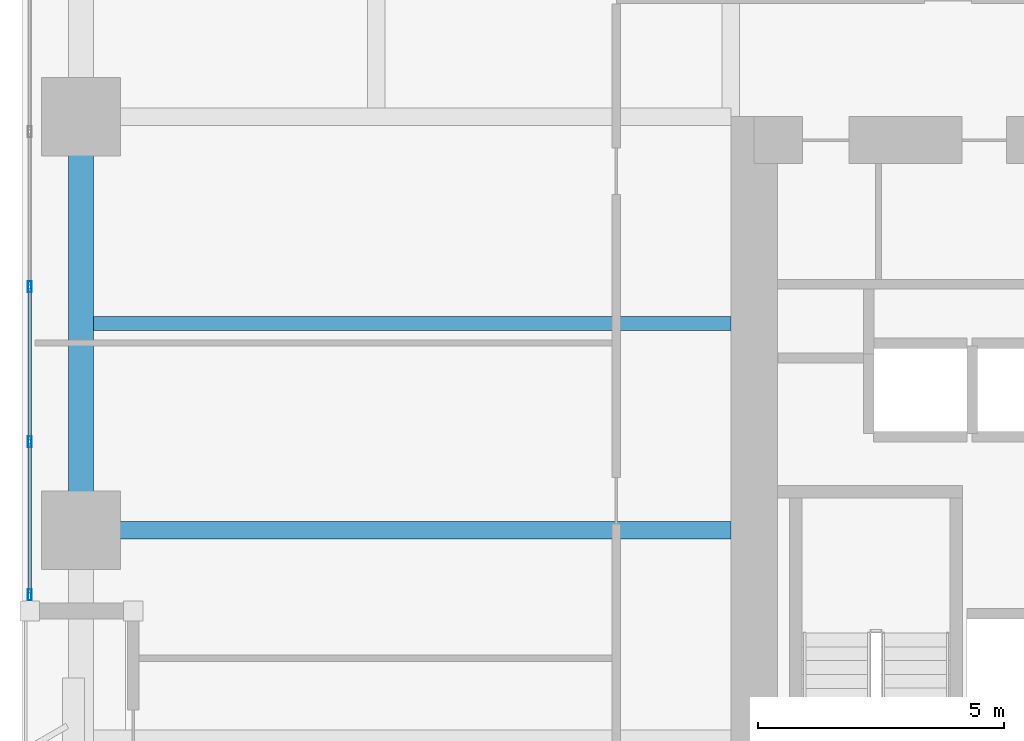
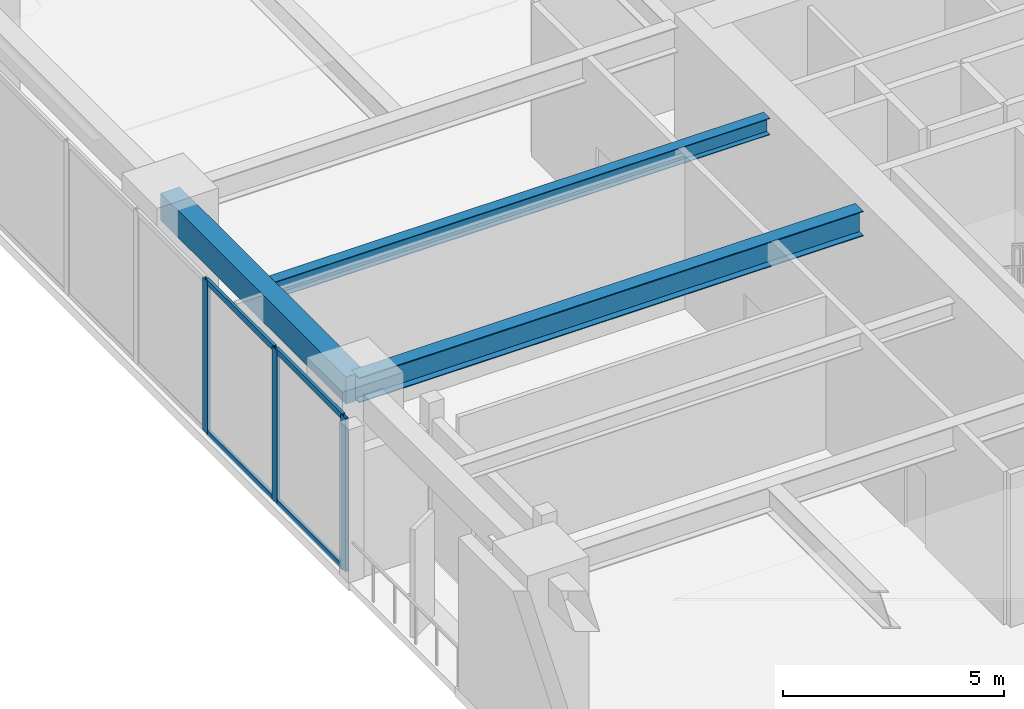
# One storey, part 2 of 25: 7 members, 3 beams, 1 element without a shape of its own.
"""IFC4 building model written with IfcOpenShell, lengths in metres."""

import ifcopenshell
import ifcopenshell.guid

model = None  # the IFC model being written
_history = None  # IfcOwnerHistory: only IFC2X3 demands one
_inside = {}  # id of a spatial element -> (the spatial element, [elements in it])
_under = {}  # id of a project, library or spatial element -> (it, [spatial elements below it])
_declared = {}  # id of a project -> (the project, [libraries it declares])
_typed = {}  # id of a type object -> (the type object, [elements of that type])
_made_of = {}  # id of a material, layer set ... -> (it, [elements and type objects made of it])


def new_model(schema):
    """Start an empty IFC model of exactly this schema.

    Asked for "IFC4X3", IfcOpenShell would pick the latest addendum, in which some entities
    have other attributes; the version numbers below select the first issue.
    IFC2X3 requires an IfcOwnerHistory on every rooted entity: one is made here for all.
    """
    global model, _history
    if schema == "IFC4X3":
        model = ifcopenshell.file(schema_version=(4, 3, 0, 0))
    else:
        model = ifcopenshell.file(schema=schema)
    _inside.clear()
    _under.clear()
    _declared.clear()
    _typed.clear()
    _made_of.clear()
    _history = None
    if model.schema == "IFC2X3":
        org = make("IfcOrganization", Name="unknown")
        user = make(
            "IfcPersonAndOrganization",
            ThePerson=make("IfcPerson", FamilyName="unknown"),
            TheOrganization=org,
        )
        app = make(
            "IfcApplication",
            ApplicationDeveloper=org,
            Version="unknown",
            ApplicationFullName="unknown",
            ApplicationIdentifier="unknown",
        )
        _history = make(
            "IfcOwnerHistory",
            OwningUser=user,
            OwningApplication=app,
            ChangeAction="ADDED",
            CreationDate=0,
        )
    return model


def make(cls, **values):
    """One entity of the class cls with the attributes given. An attribute that is None is left unset."""
    return model.create_entity(
        cls, **{name: value for name, value in values.items() if value is not None}
    )


def rooted(cls, **values):
    """An entity with a GlobalId (a new one), such as an element, a storey or a relation."""
    return make(cls, GlobalId=ifcopenshell.guid.new(), OwnerHistory=_history, **values)


def si_unit(unit_type, name, prefix=None):
    """IfcSIUnit, for example si_unit("LENGTHUNIT", "METRE", prefix="MILLI")."""
    return make("IfcSIUnit", UnitType=unit_type, Prefix=prefix, Name=name)


def assignment(units):
    """IfcUnitAssignment: the units of a project."""
    return None if units is None else make("IfcUnitAssignment", Units=units)


def point(xyz):
    """IfcCartesianPoint."""
    return None if xyz is None else make("IfcCartesianPoint", Coordinates=xyz)


def direction(xyz):
    """IfcDirection."""
    return None if xyz is None else make("IfcDirection", DirectionRatios=xyz)


def frame(location, z_axis=None, x_axis=None):
    """IfcAxis2Placement3D, a coordinate frame: its origin and axes. An axis left out is left unset."""
    return make(
        "IfcAxis2Placement3D",
        Location=point(location),
        Axis=direction(z_axis),
        RefDirection=direction(x_axis),
    )


def frame_2d(location, x_axis=None):
    """IfcAxis2Placement2D, a coordinate frame in the plane: its origin and x axis."""
    return make(
        "IfcAxis2Placement2D", Location=point(location), RefDirection=direction(x_axis)
    )


def origin():
    """The frame at (0, 0, 0) with its axes left unset."""
    return frame((0.0, 0.0, 0.0))


def origin_2d():
    """The frame at (0, 0) in the plane with its x axis left unset."""
    return frame_2d((0.0, 0.0))


def place(relative_to, where):
    """IfcLocalPlacement: puts the frame where relative to a parent placement (None: the world)."""
    return make(
        "IfcLocalPlacement", PlacementRelTo=relative_to, RelativePlacement=where
    )


def context(
    kind, dimensions, precision=None, world=None, true_north=None, identifier=None
):
    """IfcGeometricRepresentationContext, for example the 3D "Model" context."""
    return make(
        "IfcGeometricRepresentationContext",
        ContextIdentifier=identifier,
        ContextType=kind,
        CoordinateSpaceDimension=dimensions,
        Precision=precision,
        WorldCoordinateSystem=world,
        TrueNorth=true_north,
    )


def subcontext(parent, identifier, kind, view, scale=None):
    """IfcGeometricRepresentationSubContext, for example "Body" below "Model"."""
    return make(
        "IfcGeometricRepresentationSubContext",
        ContextIdentifier=identifier,
        ContextType=kind,
        ParentContext=parent,
        TargetScale=scale,
        TargetView=view,
    )


def project(units=None, contexts=None):
    """IfcProject with its units and contexts."""
    return rooted(
        "IfcProject",
        Name="project",
        RepresentationContexts=contexts,
        UnitsInContext=assignment(units),
    )


def spatial(cls, under=None, at=None, **own):
    """A site, building, storey or space (cls), placed at a placement, below another one or the project."""
    s = rooted(cls, ObjectPlacement=at, **own)
    if under is not None:
        _under.setdefault(under.id(), (under, []))[1].append(s)
    return s


def profile(cls, at=None, kind="AREA", **sizes):
    """A parametric profile (cls). Its sizes go by their IFC names, for example OverallWidth=200.0."""
    return make(cls, ProfileType=kind, Position=at, **sizes)


def rectangle(**sizes):
    """IfcRectangleProfileDef."""
    return profile("IfcRectangleProfileDef", **sizes)


def hollow_rectangle(**sizes):
    """IfcRectangleHollowProfileDef."""
    return profile("IfcRectangleHollowProfileDef", **sizes)


def i_section(**sizes):
    """IfcIShapeProfileDef."""
    return profile("IfcIShapeProfileDef", **sizes)


def extrude(swept, where, along, depth):
    """IfcExtrudedAreaSolid: the profile swept, set in the frame where, extruded along a direction by depth."""
    return make(
        "IfcExtrudedAreaSolid",
        SweptArea=swept,
        Position=where,
        ExtrudedDirection=direction(along),
        Depth=depth,
    )


def shape(context_of_items, identifier, shape_type, items):
    """IfcShapeRepresentation: the items that make up one representation, for example the "Body"."""
    return make(
        "IfcShapeRepresentation",
        ContextOfItems=context_of_items,
        RepresentationIdentifier=identifier,
        RepresentationType=shape_type,
        Items=items,
    )


def material(Name=None, Category=None):
    """IfcMaterial."""
    return make("IfcMaterial", Name=Name, Category=Category)


def layer(
    of_material, thickness, ventilated=None, Name=None, Category=None, Priority=None
):
    """IfcMaterialLayer: one layer of a wall or slab, of a material (None: an air gap)."""
    return make(
        "IfcMaterialLayer",
        Material=of_material,
        LayerThickness=thickness,
        IsVentilated=ventilated,
        Name=Name,
        Category=Category,
        Priority=Priority,
    )


def layer_set(layers, Name=None):
    """IfcMaterialLayerSet."""
    return make("IfcMaterialLayerSet", MaterialLayers=layers, LayerSetName=Name)


def material_profile(
    of_material, cross_section, Name=None, Category=None, Priority=None
):
    """IfcMaterialProfile: a cross section and its material."""
    return make(
        "IfcMaterialProfile",
        Name=Name,
        Material=of_material,
        Profile=cross_section,
        Priority=Priority,
        Category=Category,
    )


def profile_set(profiles, Name=None, composite=None):
    """IfcMaterialProfileSet."""
    return make(
        "IfcMaterialProfileSet",
        Name=Name,
        MaterialProfiles=profiles,
        CompositeProfile=composite,
    )


def made_of(thing, what):
    """Note that an element or type object is made of a material, layer set ...; save() writes the relation."""
    if what is not None:
        _made_of.setdefault(what.id(), (what, []))[1].append(thing)
    return thing


def type_object(cls, material=None, **own):
    """A type object (cls), such as IfcWallType, which elements share."""
    return made_of(rooted(cls, **own), material)


def element(
    cls,
    number,
    at=None,
    inside=None,
    cuts=None,
    type_object=None,
    material=None,
    context=None,
    identifier="Body",
    shape_type=None,
    held_by="IfcProductDefinitionShape",
    body=None,
    shapes=None,
    **own,
):
    """One element of the class cls, such as IfcWall. Its Tag is "e" and its number.

    at: its placement. inside: the storey or other place that contains it. cuts: it is an
    opening in that element (IfcRelVoidsElement). A single representation is given by context,
    identifier, shape_type and body (its items); several are given by shapes. held_by: the class
    of the entity that holds the representations. save() writes the other relations.
    """
    e = rooted(cls, Tag="e%d" % number, ObjectPlacement=at, **own)
    if body is not None:
        shapes = [shape(context, identifier, shape_type, body)]
    if shapes is not None:
        e.Representation = make(held_by, Representations=shapes)
    if inside is not None:
        _inside.setdefault(inside.id(), (inside, []))[1].append(e)
    if cuts is not None:
        rooted(
            "IfcRelVoidsElement", RelatingBuildingElement=cuts, RelatedOpeningElement=e
        )
    if type_object is not None:
        _typed.setdefault(type_object.id(), (type_object, []))[1].append(e)
    return made_of(e, material)


def aggregate(whole, parts):
    """IfcRelAggregates: a whole, such as a stair, and the parts it consists of."""
    return rooted("IfcRelAggregates", RelatingObject=whole, RelatedObjects=parts)


def save(model, path):
    """Write the relations noted so far, then the file.

    IfcRelAggregates (storeys below a building ...), IfcRelContainedInSpatialStructure (elements
    in a storey), IfcRelDefinesByType, IfcRelAssociatesMaterial and IfcRelDeclares: one each for
    every whole, place, type object, material and project.
    """
    for whole, parts in _under.values():
        aggregate(whole, parts)
    for where, things in _inside.values():
        rooted(
            "IfcRelContainedInSpatialStructure",
            RelatedElements=things,
            RelatingStructure=where,
        )
    for kind, things in _typed.values():
        rooted("IfcRelDefinesByType", RelatedObjects=things, RelatingType=kind)
    for what, things in _made_of.values():
        rooted("IfcRelAssociatesMaterial", RelatedObjects=things, RelatingMaterial=what)
    for by, libraries in _declared.values():
        rooted("IfcRelDeclares", RelatingContext=by, RelatedDefinitions=libraries)
    model.write(path)


model = new_model("IFC4")

# Units and contexts
model_context = context("Model", 3, precision=1e-05, world=origin(), true_north=direction((0.0, 1.0)))
body_context = subcontext(model_context, "Body", "Model", "MODEL_VIEW")
ifc_project = project(units=[si_unit("LENGTHUNIT", "METRE"), si_unit("AREAUNIT", "SQUARE_METRE"), si_unit("VOLUMEUNIT", "CUBIC_METRE"), si_unit("PLANEANGLEUNIT", "RADIAN"), si_unit("MASSUNIT", "GRAM", prefix="KILO")], contexts=[model_context])

# Site, building, storey
site_placement = place(None, origin())
site = spatial("IfcSite", under=ifc_project, at=site_placement, CompositionType="ELEMENT")
building_placement = place(site_placement, origin())
building = spatial("IfcBuilding", under=site, at=building_placement, Name="Kiyonajd Concourse Tower", CompositionType="ELEMENT")
storey_placement = place(building_placement, frame((0.0, 0.0, 68.39990234375)))
storey = spatial("IfcBuildingStorey", under=building, at=storey_placement, Name="L18", CompositionType="ELEMENT", Elevation=68.39990234375)

# Beams
ifc_material_1 = material(Name="Steel ASTM A992 Grade 50", Category="steel")
ifc_material_profile_1 = material_profile(ifc_material_1, i_section(OverallWidth=0.280029296875, OverallDepth=0.462890625, WebThickness=0.0107421875, FlangeThickness=0.017333984375, at=origin_2d()), Name="W460X113")
ifc_profile_set_1 = profile_set([ifc_material_profile_1], Name="Steel ASTM A992 Grade 50")
beam_type_1 = type_object("IfcBeamType", Name="BM-JST-460A", PredefinedType="JOIST", material=ifc_profile_set_1)
beam_1_placement = place(storey_placement, frame((19.449951171875, 40.199951171875, 4.008544921875), z_axis=(1.0, 0.0, 0.0), x_axis=(0.0, 1.0, 0.0)))
element("IfcBeam", 1, at=beam_1_placement, inside=storey, type_object=beam_type_1, Name="L18 West Secondary Floor Joist", PredefinedType="JOIST", context=body_context, shape_type="SweptSolid", body=[
    extrude(i_section(OverallWidth=0.280029296875, OverallDepth=0.462890625, WebThickness=0.0107421875, FlangeThickness=0.017333984375, at=origin_2d()), origin(), (0.0, 0.0, 1.0), 12.949951171875),
])
ifc_material_2 = material(Name="Precast concrete C50/60", Category="concrete")
ifc_material_profile_2 = material_profile(ifc_material_2, rectangle(XDim=0.5, YDim=0.75, at=origin_2d()), Name="RCBM-500x750")
ifc_profile_set_2 = profile_set([ifc_material_profile_2], Name="Precast concrete C50/60")
beam_type_2 = type_object("IfcBeamType", Name="BM-SPAN-RC", PredefinedType="SPANDREL", material=ifc_profile_set_2)
beam_2_placement = place(storey_placement, frame((19.199951171875, 44.39990234375, 3.864990234375), z_axis=(0.0, -1.0, 0.0), x_axis=(1.0, 0.0, 0.0)))
element("IfcBeam", 2, at=beam_2_placement, inside=storey, type_object=beam_type_2, Name="L18 Perimeter Bundled Tube Spandrel", PredefinedType="SPANDREL", context=body_context, shape_type="SweptSolid", body=[
    extrude(rectangle(XDim=0.5, YDim=0.75, at=origin_2d()), origin(), (0.0, 0.0, 1.0), 8.39990234375),
])
ifc_material_profile_3 = material_profile(ifc_material_1, i_section(OverallWidth=0.35498046875, OverallDepth=0.695068359375, WebThickness=0.015380859375, FlangeThickness=0.02490234375, at=origin_2d()), Name="W690X217")
ifc_profile_set_3 = profile_set([ifc_material_profile_3], Name="Steel ASTM A992 Grade 50")
beam_type_3 = type_object("IfcBeamType", Name="BM-TWR-690", PredefinedType="BEAM", material=ifc_profile_set_3)
beam_3_placement = place(storey_placement, frame((19.199951171875, 36.0, 3.892578125), z_axis=(1.0, 0.0, 0.0), x_axis=(0.0, 1.0, 0.0)))
element("IfcBeam", 3, at=beam_3_placement, inside=storey, type_object=beam_type_3, Name="L18 West Lease Girder", PredefinedType="BEAM", context=body_context, shape_type="SweptSolid", body=[
    extrude(i_section(OverallWidth=0.35498046875, OverallDepth=0.695068359375, WebThickness=0.015380859375, FlangeThickness=0.02490234375, at=origin_2d()), origin(), (0.0, 0.0, 1.0), 13.199951171875),
])

# Curtain wall, members
ifc_material_3 = material(Name="Thermally Broken Anodised Aluminium", Category="aluminium")
ifc_layer = layer(ifc_material_3, 0.179931640625)
ifc_layer_set = layer_set([ifc_layer], Name="Thermally Broken Anodised Aluminium")
curtain_wall_type = type_object("IfcCurtainWallType", Name="CW-SYS-05", PredefinedType="NOTDEFINED", material=ifc_layer_set)
curtain_wall_placement = place(storey_placement, origin())
curtain_wall = element("IfcCurtainWall", 4, at=curtain_wall_placement, inside=storey, type_object=curtain_wall_type, Name="L18 Unitised Curtain Wall CW5", PredefinedType="NOTDEFINED")
ifc_material_profile_4 = material_profile(ifc_material_3, hollow_rectangle(XDim=0.074951171875, YDim=0.219970703125, WallThickness=0.0048828125, at=origin_2d()), Name="MULL-75x220")
ifc_profile_set_4 = profile_set([ifc_material_profile_4], Name="Thermally Broken Anodised Aluminium")
member_type_1 = type_object("IfcMemberType", Name="MB-CW-MULL2", PredefinedType="MULLION", material=ifc_profile_set_4)
member_1_placement = place(storey_placement, frame((18.159912109375, 34.6875, 0.0), z_axis=(0.0, 0.0, 1.0), x_axis=(-1.0, 0.0, 0.0)))
member_1 = element("IfcMember", 5, at=member_1_placement, type_object=member_type_1, Name="CW5 mullion 1", PredefinedType="MULLION", context=body_context, shape_type="SweptSolid", body=[
    extrude(hollow_rectangle(XDim=0.074951171875, YDim=0.219970703125, WallThickness=0.0048828125, at=origin_2d()), origin(), (0.0, 0.0, 1.0), 4.239990234375),
])
member_2_placement = place(storey_placement, frame((18.159912109375, 37.79833984375, 0.0), z_axis=(0.0, 0.0, 1.0), x_axis=(-1.0, 0.0, 0.0)))
member_2 = element("IfcMember", 6, at=member_2_placement, type_object=member_type_1, Name="CW5 mullion 2", PredefinedType="MULLION", context=body_context, shape_type="SweptSolid", body=[
    extrude(hollow_rectangle(XDim=0.074951171875, YDim=0.219970703125, WallThickness=0.0048828125, at=origin_2d()), origin(), (0.0, 0.0, 1.0), 4.239990234375),
])
member_3_placement = place(storey_placement, frame((18.159912109375, 40.94677734375, 0.0), z_axis=(0.0, 0.0, 1.0), x_axis=(-1.0, 0.0, 0.0)))
member_3 = element("IfcMember", 7, at=member_3_placement, type_object=member_type_1, Name="CW5 mullion 3", PredefinedType="MULLION", context=body_context, shape_type="SweptSolid", body=[
    extrude(hollow_rectangle(XDim=0.074951171875, YDim=0.219970703125, WallThickness=0.0048828125, at=origin_2d()), origin(), (0.0, 0.0, 1.0), 4.239990234375),
])
ifc_material_profile_5 = material_profile(ifc_material_3, hollow_rectangle(XDim=0.074951171875, YDim=0.159912109375, WallThickness=0.0048828125, at=origin_2d()), Name="TRAN-75x160")
ifc_profile_set_5 = profile_set([ifc_material_profile_5], Name="Thermally Broken Anodised Aluminium")
member_type_2 = type_object("IfcMemberType", Name="MB-CW-TRAN2", PredefinedType="USERDEFINED", material=ifc_profile_set_5)
member_4_placement = place(storey_placement, frame((18.159912109375, 34.72509765625, 0.03759765625), z_axis=(0.0, 1.0, 0.0), x_axis=(-1.0, 0.0, 0.0)))
member_4 = element("IfcMember", 8, at=member_4_placement, type_object=member_type_2, Name="CW5 transom 1.1", ObjectType="TRANSOM", PredefinedType="USERDEFINED", context=body_context, shape_type="SweptSolid", body=[
    extrude(hollow_rectangle(XDim=0.074951171875, YDim=0.159912109375, WallThickness=0.0048828125, at=origin_2d()), origin(), (0.0, 0.0, 1.0), 3.035888671875),
])
member_5_placement = place(storey_placement, frame((18.159912109375, 34.72509765625, 4.20263671875), z_axis=(0.0, 1.0, 0.0), x_axis=(-1.0, 0.0, 0.0)))
member_5 = element("IfcMember", 9, at=member_5_placement, type_object=member_type_2, Name="CW5 transom 1.2", ObjectType="TRANSOM", PredefinedType="USERDEFINED", context=body_context, shape_type="SweptSolid", body=[
    extrude(hollow_rectangle(XDim=0.074951171875, YDim=0.159912109375, WallThickness=0.0048828125, at=origin_2d()), origin(), (0.0, 0.0, 1.0), 3.035888671875),
])
member_6_placement = place(storey_placement, frame((18.159912109375, 37.8359375, 0.03759765625), z_axis=(0.0, 1.0, 0.0), x_axis=(-1.0, 0.0, 0.0)))
member_6 = element("IfcMember", 10, at=member_6_placement, type_object=member_type_2, Name="CW5 transom 2.1", ObjectType="TRANSOM", PredefinedType="USERDEFINED", context=body_context, shape_type="SweptSolid", body=[
    extrude(hollow_rectangle(XDim=0.074951171875, YDim=0.159912109375, WallThickness=0.0048828125, at=origin_2d()), origin(), (0.0, 0.0, 1.0), 3.073486328125),
])
member_7_placement = place(storey_placement, frame((18.159912109375, 37.8359375, 4.20263671875), z_axis=(0.0, 1.0, 0.0), x_axis=(-1.0, 0.0, 0.0)))
member_7 = element("IfcMember", 11, at=member_7_placement, type_object=member_type_2, Name="CW5 transom 2.2", ObjectType="TRANSOM", PredefinedType="USERDEFINED", context=body_context, shape_type="SweptSolid", body=[
    extrude(hollow_rectangle(XDim=0.074951171875, YDim=0.159912109375, WallThickness=0.0048828125, at=origin_2d()), origin(), (0.0, 0.0, 1.0), 3.073486328125),
])
aggregate(curtain_wall, [member_1, member_2, member_3, member_4, member_5, member_6, member_7])

save(model, "model.ifc")
